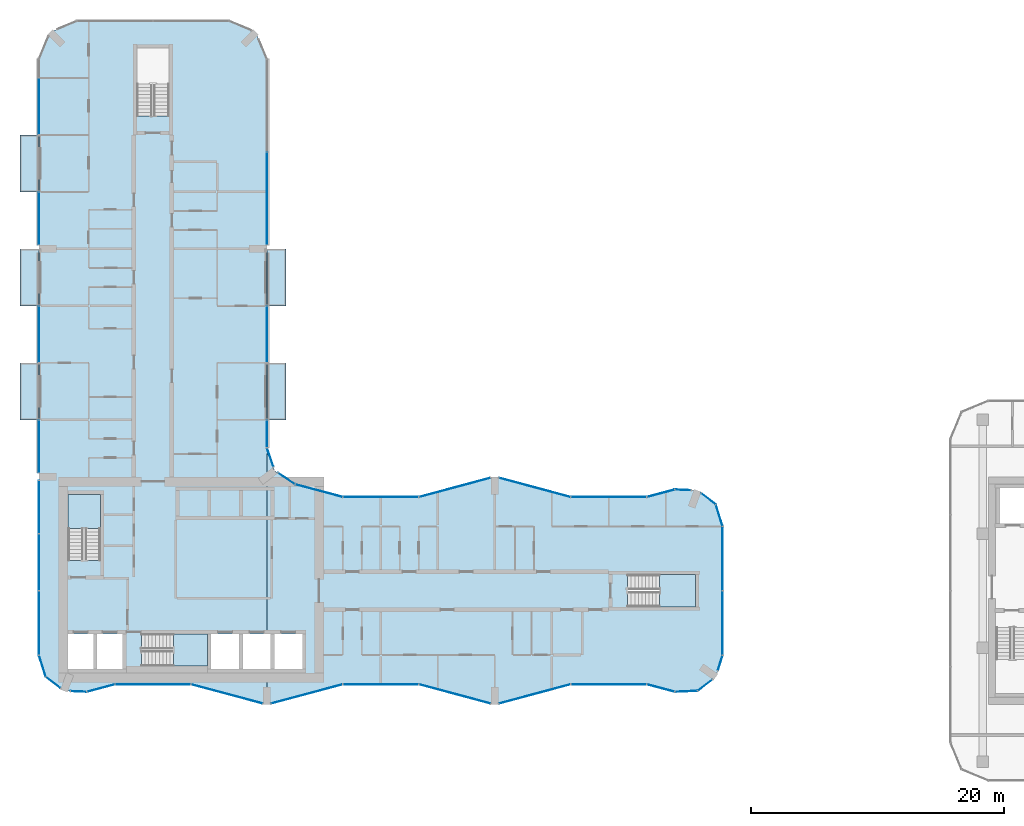
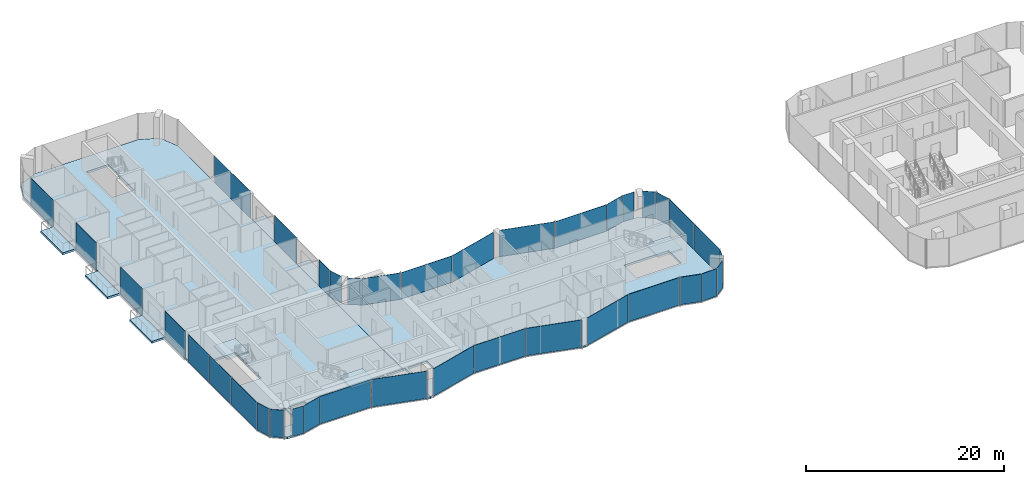
# One storey, part 11 of 23: 38 plates, 10 slabs, 38 elements without a shape of their own.
"""IFC4 building model written with IfcOpenShell, lengths in metres."""

from ifc_helpers import new_model, si_unit, direction, frame, origin, origin_2d, place, context, subcontext, project, spatial, polyline, rectangle, outline, extrude, material, layer, layer_set, type_object, element, aggregate, save


model = new_model("IFC4")

# Units and contexts
model_context = context("Model", 3, precision=1e-05, world=origin(), true_north=direction((0.0, 1.0)))
body_context = subcontext(model_context, "Body", "Model", "MODEL_VIEW")
ifc_project = project(units=[si_unit("LENGTHUNIT", "METRE"), si_unit("AREAUNIT", "SQUARE_METRE"), si_unit("VOLUMEUNIT", "CUBIC_METRE"), si_unit("PLANEANGLEUNIT", "RADIAN"), si_unit("MASSUNIT", "GRAM", prefix="KILO")], contexts=[model_context])

# Site, building, storey
site_placement = place(None, origin())
site = spatial("IfcSite", under=ifc_project, at=site_placement, CompositionType="ELEMENT")
building_placement = place(site_placement, origin())
building = spatial("IfcBuilding", under=site, at=building_placement, Name="Plateau Cross Towers", CompositionType="ELEMENT")
storey_placement = place(building_placement, frame((0.0, 0.0, 37.300048828125)))
storey = spatial("IfcBuildingStorey", under=building, at=storey_placement, Name="L08", CompositionType="ELEMENT", Elevation=37.300048828125)

# Slabs
ifc_material_1 = material(Name="Concrete C40/50", Category="concrete")
ifc_layer_1 = layer(ifc_material_1, 0.25)
ifc_layer_set_1 = layer_set([ifc_layer_1], Name="Concrete C40/50")
slab_type_1 = type_object("IfcSlabType", Name="Balcony slab 250", PredefinedType="FLOOR", material=ifc_layer_set_1)
slab_1_placement = place(storey_placement, frame((0.0, 0.0, -0.25)))
element("IfcSlab", 1, at=slab_1_placement, inside=storey, type_object=slab_type_1, Name="Balcony slab A-BAL-L08-01", PredefinedType="FLOOR", context=body_context, shape_type="SweptSolid", body=[
    extrude(outline(polyline([(0.0, 22.5), (0.0, 27.0), (-1.5, 27.0), (-1.5, 22.5), (0.0, 22.5)])), origin(), (0.0, 0.0, 1.0), 0.25),
])
slab_2_placement = place(storey_placement, frame((0.0, 0.0, -0.25)))
element("IfcSlab", 2, at=slab_2_placement, inside=storey, type_object=slab_type_1, Name="Balcony slab A-BAL-L08-02", PredefinedType="FLOOR", context=body_context, shape_type="SweptSolid", body=[
    extrude(outline(polyline([(0.0, 31.5), (0.0, 36.0), (-1.5, 36.0), (-1.5, 31.5), (0.0, 31.5)])), origin(), (0.0, 0.0, 1.0), 0.25),
])
slab_3_placement = place(storey_placement, frame((0.0, 0.0, -0.25)))
element("IfcSlab", 3, at=slab_3_placement, inside=storey, type_object=slab_type_1, Name="Balcony slab A-BAL-L08-03", PredefinedType="FLOOR", context=body_context, shape_type="SweptSolid", body=[
    extrude(outline(polyline([(0.0, 40.5), (0.0, 45.0), (-1.5, 45.0), (-1.5, 40.5), (0.0, 40.5)])), origin(), (0.0, 0.0, 1.0), 0.25),
])
slab_4_placement = place(storey_placement, frame((0.0, 0.0, -0.25)))
element("IfcSlab", 4, at=slab_4_placement, inside=storey, type_object=slab_type_1, Name="Balcony slab A-BAL-L08-04", PredefinedType="FLOOR", context=body_context, shape_type="SweptSolid", body=[
    extrude(outline(polyline([(19.5, 22.5), (19.5, 27.0), (18.0, 27.0), (18.0, 22.5), (19.5, 22.5)])), origin(), (0.0, 0.0, 1.0), 0.25),
])
slab_5_placement = place(storey_placement, frame((0.0, 0.0, -0.25)))
element("IfcSlab", 5, at=slab_5_placement, inside=storey, type_object=slab_type_1, Name="Balcony slab A-BAL-L08-05", PredefinedType="FLOOR", context=body_context, shape_type="SweptSolid", body=[
    extrude(outline(polyline([(19.5, 31.5), (19.5, 36.0), (18.0, 36.0), (18.0, 31.5), (19.5, 31.5)])), origin(), (0.0, 0.0, 1.0), 0.25),
])

# Curtain wall, plate
ifc_material_2 = material(Name="Dark low-iron glass", Category="glass")
ifc_layer_2 = layer(ifc_material_2, 0.239990234375)
ifc_layer_set_2 = layer_set([ifc_layer_2], Name="Dark low-iron glass")
curtain_wall_type_1 = type_object("IfcCurtainWallType", Name="Curtain wall flush unitised CW-B", PredefinedType="NOTDEFINED", material=ifc_layer_set_2)
curtain_wall_1_placement = place(storey_placement, origin())
curtain_wall_1 = element("IfcCurtainWall", 6, at=curtain_wall_1_placement, inside=storey, type_object=curtain_wall_type_1, Name="ENV/A/L08/A502_10", PredefinedType="NOTDEFINED")
ifc_layer_3 = layer(ifc_material_2, 0.031982421875)
ifc_layer_set_3 = layer_set([ifc_layer_3], Name="Dark low-iron glass")
plate_type_1 = type_object("IfcPlateType", Name="Glass panel 32 flush unitised", PredefinedType="CURTAIN_PANEL", material=ifc_layer_set_3)
plate_1_placement = place(storey_placement, frame((51.125, 1.05078125, -0.1298828125), z_axis=(0.0, 0.0, 1.0), x_axis=(0.999043701491, 0.043722791671, 0.0)))
plate_1 = element("IfcPlate", 7, at=plate_1_placement, type_object=plate_type_1, Name="CW-B panel 1", PredefinedType="CURTAIN_PANEL", context=body_context, shape_type="SweptSolid", body=[
    extrude(rectangle(XDim=1.744140625, YDim=0.031982421875, at=origin_2d()), origin(), (0.0, 0.0, 1.0), 3.3798828125),
])
aggregate(curtain_wall_1, [plate_1])

curtain_wall_2_placement = place(storey_placement, origin())
curtain_wall_2 = element("IfcCurtainWall", 8, at=curtain_wall_2_placement, inside=storey, type_object=curtain_wall_type_1, Name="ENV/A/L08/A520_11", PredefinedType="NOTDEFINED")
plate_2_placement = place(storey_placement, frame((52.60986328125, 1.5380859375, -0.1298828125), z_axis=(0.0, 0.0, 1.0), x_axis=(0.793315514529, 0.608810721331, 0.0)))
plate_2 = element("IfcPlate", 9, at=plate_2_placement, type_object=plate_type_1, Name="CW-B panel 1", PredefinedType="CURTAIN_PANEL", context=body_context, shape_type="SweptSolid", body=[
    extrude(rectangle(XDim=1.41162109375, YDim=0.031982421875, at=origin_2d()), origin(), (0.0, 0.0, 1.0), 3.3798828125),
])
aggregate(curtain_wall_2, [plate_2])

curtain_wall_3_placement = place(storey_placement, origin())
curtain_wall_3 = element("IfcCurtainWall", 10, at=curtain_wall_3_placement, inside=storey, type_object=curtain_wall_type_1, Name="ENV/A/L08/A536_27", PredefinedType="NOTDEFINED")
plate_3_placement = place(storey_placement, frame((53.805419921875, 3.292236328125, -0.1298828125), z_axis=(0.0, 0.0, 1.0), x_axis=(0.300686174994, 0.95372313811, 0.0)))
plate_3 = element("IfcPlate", 11, at=plate_3_placement, type_object=plate_type_1, Name="CW-B panel 1", PredefinedType="CURTAIN_PANEL", context=body_context, shape_type="SweptSolid", body=[
    extrude(rectangle(XDim=1.233642578125, YDim=0.031982421875, at=origin_2d()), origin(), (0.0, 0.0, 1.0), 3.3798828125),
])
aggregate(curtain_wall_3, [plate_3])

# Curtain wall, plates
curtain_wall_4_placement = place(storey_placement, origin())
curtain_wall_4 = element("IfcCurtainWall", 12, at=curtain_wall_4_placement, inside=storey, type_object=curtain_wall_type_1, Name="ENV/A/L08/A540_39", PredefinedType="NOTDEFINED")
plate_4_placement = place(storey_placement, frame((54.0, 6.45458984375, -0.1298828125), z_axis=(0.0, 0.0, 1.0), x_axis=(0.0, 1.0, 0.0)))
plate_4 = element("IfcPlate", 13, at=plate_4_placement, type_object=plate_type_1, Name="CW-B panel 1", PredefinedType="CURTAIN_PANEL", context=body_context, shape_type="SweptSolid", body=[
    extrude(rectangle(XDim=5.03076171875, YDim=0.031982421875, at=origin_2d()), origin(), (0.0, 0.0, 1.0), 3.3798828125),
])
plate_5_placement = place(storey_placement, frame((54.0, 11.54541015625, -0.1298828125), z_axis=(0.0, 0.0, 1.0), x_axis=(0.0, 1.0, 0.0)))
plate_5 = element("IfcPlate", 14, at=plate_5_placement, type_object=plate_type_1, Name="CW-B panel 2", PredefinedType="CURTAIN_PANEL", context=body_context, shape_type="SweptSolid", body=[
    extrude(rectangle(XDim=5.03076171875, YDim=0.031982421875, at=origin_2d()), origin(), (0.0, 0.0, 1.0), 3.3798828125),
])
aggregate(curtain_wall_4, [plate_4, plate_5])

# Curtain wall, plate
curtain_wall_5_placement = place(storey_placement, origin())
curtain_wall_5 = element("IfcCurtainWall", 15, at=curtain_wall_5_placement, inside=storey, type_object=curtain_wall_type_1, Name="ENV/A/L08/A540_141", PredefinedType="NOTDEFINED")
plate_6_placement = place(storey_placement, frame((53.728759765625, 14.951171875, -0.1298828125), z_axis=(0.0, 0.0, 1.0), x_axis=(-0.300686174994, 0.95372313811, 0.0)))
plate_6 = element("IfcPlate", 16, at=plate_6_placement, type_object=plate_type_1, Name="CW-B panel 1", PredefinedType="CURTAIN_PANEL", context=body_context, shape_type="SweptSolid", body=[
    extrude(rectangle(XDim=1.744140625, YDim=0.031982421875, at=origin_2d()), origin(), (0.0, 0.0, 1.0), 3.3798828125),
])
aggregate(curtain_wall_5, [plate_6])

curtain_wall_6_placement = place(storey_placement, origin())
curtain_wall_6 = element("IfcCurtainWall", 17, at=curtain_wall_6_placement, inside=storey, type_object=curtain_wall_type_1, Name="ENV/A/L08/A535_158", PredefinedType="NOTDEFINED")
plate_7_placement = place(storey_placement, frame((52.873779296875, 16.25927734375, -0.1298828125), z_axis=(0.0, 0.0, 1.0), x_axis=(-0.793315514529, 0.608810721331, 0.0)))
plate_7 = element("IfcPlate", 18, at=plate_7_placement, type_object=plate_type_1, Name="CW-B panel 1", PredefinedType="CURTAIN_PANEL", context=body_context, shape_type="SweptSolid", body=[
    extrude(rectangle(XDim=1.41162109375, YDim=0.031982421875, at=origin_2d()), origin(), (0.0, 0.0, 1.0), 3.3798828125),
])
aggregate(curtain_wall_6, [plate_7])

curtain_wall_7_placement = place(storey_placement, origin())
curtain_wall_7 = element("IfcCurtainWall", 19, at=curtain_wall_7_placement, inside=storey, type_object=curtain_wall_type_1, Name="ENV/A/L08/A515_169", PredefinedType="NOTDEFINED")
plate_8_placement = place(storey_placement, frame((50.8701171875, 16.96044921875, -0.1298828125), z_axis=(0.0, 0.0, 1.0), x_axis=(-0.999043701491, 0.043722791671, 0.0)))
plate_8 = element("IfcPlate", 20, at=plate_8_placement, type_object=plate_type_1, Name="CW-B panel 1", PredefinedType="CURTAIN_PANEL", context=body_context, shape_type="SweptSolid", body=[
    extrude(rectangle(XDim=1.233642578125, YDim=0.031982421875, at=origin_2d()), origin(), (0.0, 0.0, 1.0), 3.3798828125),
])
aggregate(curtain_wall_7, [plate_8])

curtain_wall_8_placement = place(storey_placement, origin())
curtain_wall_8 = element("IfcCurtainWall", 21, at=curtain_wall_8_placement, inside=storey, type_object=curtain_wall_type_1, Name="ENV/A/L08/A202_174", PredefinedType="NOTDEFINED")
plate_9_placement = place(storey_placement, frame((19.546630859375, 17.856689453125, -0.1298828125), z_axis=(0.0, 0.0, 1.0), x_axis=(-0.831521253329, 0.555492938984, 0.0)))
plate_9 = element("IfcPlate", 22, at=plate_9_placement, type_object=plate_type_1, Name="CW-B panel 1", PredefinedType="CURTAIN_PANEL", context=body_context, shape_type="SweptSolid", body=[
    extrude(rectangle(XDim=1.56884765625, YDim=0.031982421875, at=origin_2d()), origin(), (0.0, 0.0, 1.0), 3.3798828125),
])
aggregate(curtain_wall_8, [plate_9])

curtain_wall_9_placement = place(storey_placement, origin())
curtain_wall_9 = element("IfcCurtainWall", 23, at=curtain_wall_9_placement, inside=storey, type_object=curtain_wall_type_1, Name="ENV/A/L08/A185_188", PredefinedType="NOTDEFINED")
plate_10_placement = place(storey_placement, frame((18.26171875, 19.531005859375, -0.1298828125), z_axis=(0.0, 0.0, 1.0), x_axis=(-0.321469161574, 0.94692004845, 0.0)))
plate_10 = element("IfcPlate", 24, at=plate_10_placement, type_object=plate_type_1, Name="CW-B panel 1", PredefinedType="CURTAIN_PANEL", context=body_context, shape_type="SweptSolid", body=[
    extrude(rectangle(XDim=1.56884765625, YDim=0.031982421875, at=origin_2d()), origin(), (0.0, 0.0, 1.0), 3.3798828125),
])
aggregate(curtain_wall_9, [plate_10])

curtain_wall_10_placement = place(storey_placement, origin())
curtain_wall_10 = element("IfcCurtainWall", 25, at=curtain_wall_10_placement, inside=storey, type_object=curtain_wall_type_1, Name="ENV/A/L08/A180_203", PredefinedType="NOTDEFINED")
plate_11_placement = place(storey_placement, frame((18.0, 21.396240234375, -0.1298828125), z_axis=(0.0, 0.0, 1.0), x_axis=(0.0, 1.0, 0.0)))
plate_11 = element("IfcPlate", 26, at=plate_11_placement, type_object=plate_type_1, Name="CW-B panel 1", PredefinedType="CURTAIN_PANEL", context=body_context, shape_type="SweptSolid", body=[
    extrude(rectangle(XDim=2.127685546875, YDim=0.031982421875, at=origin_2d()), origin(), (0.0, 0.0, 1.0), 3.3798828125),
])
aggregate(curtain_wall_10, [plate_11])

curtain_wall_11_placement = place(storey_placement, origin())
curtain_wall_11 = element("IfcCurtainWall", 27, at=curtain_wall_11_placement, inside=storey, type_object=curtain_wall_type_1, Name="ENV/A/L08/A180_270", PredefinedType="NOTDEFINED")
plate_12_placement = place(storey_placement, frame((18.0, 29.25, -0.1298828125), z_axis=(0.0, 0.0, 1.0), x_axis=(0.0, 1.0, 0.0)))
plate_12 = element("IfcPlate", 28, at=plate_12_placement, type_object=plate_type_1, Name="CW-B panel 1", PredefinedType="CURTAIN_PANEL", context=body_context, shape_type="SweptSolid", body=[
    extrude(rectangle(XDim=4.419921875, YDim=0.031982421875, at=origin_2d()), origin(), (0.0, 0.0, 1.0), 3.3798828125),
])
aggregate(curtain_wall_11, [plate_12])

curtain_wall_12_placement = place(storey_placement, origin())
curtain_wall_12 = element("IfcCurtainWall", 29, at=curtain_wall_12_placement, inside=storey, type_object=curtain_wall_type_1, Name="ENV/A/L08/A180_363", PredefinedType="NOTDEFINED")
plate_13_placement = place(storey_placement, frame((18.0, 39.97509765625, -0.1298828125), z_axis=(0.0, 0.0, 1.0), x_axis=(0.0, 1.0, 0.0)))
plate_13 = element("IfcPlate", 30, at=plate_13_placement, type_object=plate_type_1, Name="CW-B panel 1", PredefinedType="CURTAIN_PANEL", context=body_context, shape_type="SweptSolid", body=[
    extrude(rectangle(XDim=7.2900390625, YDim=0.031982421875, at=origin_2d()), origin(), (0.0, 0.0, 1.0), 3.3798828125),
])
aggregate(curtain_wall_12, [plate_13])

curtain_wall_13_placement = place(storey_placement, origin())
curtain_wall_13 = element("IfcCurtainWall", 31, at=curtain_wall_13_placement, inside=storey, type_object=curtain_wall_type_1, Name="ENV/A/L08/A0_510", PredefinedType="NOTDEFINED")
plate_14_placement = place(storey_placement, frame((0.0, 47.2548828125, -0.1298828125), z_axis=(0.0, 0.0, 1.0), x_axis=(0.0, -1.0, 0.0)))
plate_14 = element("IfcPlate", 32, at=plate_14_placement, type_object=plate_type_1, Name="CW-B panel 2", PredefinedType="CURTAIN_PANEL", context=body_context, shape_type="SweptSolid", body=[
    extrude(rectangle(XDim=4.429931640625, YDim=0.031982421875, at=origin_2d()), origin(), (0.0, 0.0, 1.0), 3.3798828125),
])
aggregate(curtain_wall_13, [plate_14])

curtain_wall_14_placement = place(storey_placement, origin())
curtain_wall_14 = element("IfcCurtainWall", 33, at=curtain_wall_14_placement, inside=storey, type_object=curtain_wall_type_1, Name="ENV/A/L08/A0_405", PredefinedType="NOTDEFINED")
plate_15_placement = place(storey_placement, frame((0.0, 38.39501953125, -0.1298828125), z_axis=(0.0, 0.0, 1.0), x_axis=(0.0, -1.0, 0.0)))
plate_15 = element("IfcPlate", 34, at=plate_15_placement, type_object=plate_type_1, Name="CW-B panel 1", PredefinedType="CURTAIN_PANEL", context=body_context, shape_type="SweptSolid", body=[
    extrude(rectangle(XDim=4.1298828125, YDim=0.031982421875, at=origin_2d()), origin(), (0.0, 0.0, 1.0), 3.3798828125),
])
aggregate(curtain_wall_14, [plate_15])

curtain_wall_15_placement = place(storey_placement, origin())
curtain_wall_15 = element("IfcCurtainWall", 35, at=curtain_wall_15_placement, inside=storey, type_object=curtain_wall_type_1, Name="ENV/A/L08/A0_315", PredefinedType="NOTDEFINED")
plate_16_placement = place(storey_placement, frame((0.0, 29.25, -0.1298828125), z_axis=(0.0, 0.0, 1.0), x_axis=(0.0, -1.0, 0.0)))
plate_16 = element("IfcPlate", 36, at=plate_16_placement, type_object=plate_type_1, Name="CW-B panel 1", PredefinedType="CURTAIN_PANEL", context=body_context, shape_type="SweptSolid", body=[
    extrude(rectangle(XDim=4.419921875, YDim=0.031982421875, at=origin_2d()), origin(), (0.0, 0.0, 1.0), 3.3798828125),
])
aggregate(curtain_wall_15, [plate_16])

curtain_wall_16_placement = place(storey_placement, origin())
curtain_wall_16 = element("IfcCurtainWall", 37, at=curtain_wall_16_placement, inside=storey, type_object=curtain_wall_type_1, Name="ENV/A/L08/A0_225", PredefinedType="NOTDEFINED")
plate_17_placement = place(storey_placement, frame((0.0, 20.39501953125, -0.1298828125), z_axis=(0.0, 0.0, 1.0), x_axis=(0.0, -1.0, 0.0)))
plate_17 = element("IfcPlate", 38, at=plate_17_placement, type_object=plate_type_1, Name="CW-B panel 1", PredefinedType="CURTAIN_PANEL", context=body_context, shape_type="SweptSolid", body=[
    extrude(rectangle(XDim=4.1298828125, YDim=0.031982421875, at=origin_2d()), origin(), (0.0, 0.0, 1.0), 3.3798828125),
])
aggregate(curtain_wall_16, [plate_17])

# Curtain wall, plates
curtain_wall_17_placement = place(storey_placement, origin())
curtain_wall_17 = element("IfcCurtainWall", 39, at=curtain_wall_17_placement, inside=storey, type_object=curtain_wall_type_1, Name="ENV/A/L08/A0_177", PredefinedType="NOTDEFINED")
plate_18_placement = place(storey_placement, frame((0.0, 15.60009765625, -0.1298828125), z_axis=(0.0, 0.0, 1.0), x_axis=(0.0, -1.0, 0.0)))
plate_18 = element("IfcPlate", 40, at=plate_18_placement, type_object=plate_type_1, Name="CW-B panel 1", PredefinedType="CURTAIN_PANEL", context=body_context, shape_type="SweptSolid", body=[
    extrude(rectangle(XDim=4.139892578125, YDim=0.031982421875, at=origin_2d()), origin(), (0.0, 0.0, 1.0), 3.3798828125),
])
plate_19_placement = place(storey_placement, frame((0.0, 11.25, -0.1298828125), z_axis=(0.0, 0.0, 1.0), x_axis=(0.0, -1.0, 0.0)))
plate_19 = element("IfcPlate", 41, at=plate_19_placement, type_object=plate_type_1, Name="CW-B panel 2", PredefinedType="CURTAIN_PANEL", context=body_context, shape_type="SweptSolid", body=[
    extrude(rectangle(XDim=4.43994140625, YDim=0.031982421875, at=origin_2d()), origin(), (0.0, 0.0, 1.0), 3.3798828125),
])
plate_20_placement = place(storey_placement, frame((0.0, 6.45458984375, -0.1298828125), z_axis=(0.0, 0.0, 1.0), x_axis=(0.0, -1.0, 0.0)))
plate_20 = element("IfcPlate", 42, at=plate_20_placement, type_object=plate_type_1, Name="CW-B panel 3", PredefinedType="CURTAIN_PANEL", context=body_context, shape_type="SweptSolid", body=[
    extrude(rectangle(XDim=5.03076171875, YDim=0.031982421875, at=origin_2d()), origin(), (0.0, 0.0, 1.0), 3.3798828125),
])
aggregate(curtain_wall_17, [plate_18, plate_19, plate_20])

# Curtain wall, plate
curtain_wall_18_placement = place(storey_placement, origin())
curtain_wall_18 = element("IfcCurtainWall", 43, at=curtain_wall_18_placement, inside=storey, type_object=curtain_wall_type_1, Name="ENV/A/L08/A0_39", PredefinedType="NOTDEFINED")
plate_21_placement = place(storey_placement, frame((0.271240234375, 3.048828125, -0.1298828125), z_axis=(0.0, 0.0, 1.0), x_axis=(0.300686174994, -0.95372313811, 0.0)))
plate_21 = element("IfcPlate", 44, at=plate_21_placement, type_object=plate_type_1, Name="CW-B panel 1", PredefinedType="CURTAIN_PANEL", context=body_context, shape_type="SweptSolid", body=[
    extrude(rectangle(XDim=1.744140625, YDim=0.031982421875, at=origin_2d()), origin(), (0.0, 0.0, 1.0), 3.3798828125),
])
aggregate(curtain_wall_18, [plate_21])

curtain_wall_19_placement = place(storey_placement, origin())
curtain_wall_19 = element("IfcCurtainWall", 45, at=curtain_wall_19_placement, inside=storey, type_object=curtain_wall_type_1, Name="ENV/A/L08/A5_22", PredefinedType="NOTDEFINED")
plate_22_placement = place(storey_placement, frame((1.126220703125, 1.74072265625, -0.1298828125), z_axis=(0.0, 0.0, 1.0), x_axis=(0.793315514529, -0.608810721331, 0.0)))
plate_22 = element("IfcPlate", 46, at=plate_22_placement, type_object=plate_type_1, Name="CW-B panel 1", PredefinedType="CURTAIN_PANEL", context=body_context, shape_type="SweptSolid", body=[
    extrude(rectangle(XDim=1.41162109375, YDim=0.031982421875, at=origin_2d()), origin(), (0.0, 0.0, 1.0), 3.3798828125),
])
aggregate(curtain_wall_19, [plate_22])

curtain_wall_20_placement = place(storey_placement, origin())
curtain_wall_20 = element("IfcCurtainWall", 47, at=curtain_wall_20_placement, inside=storey, type_object=curtain_wall_type_1, Name="ENV/A/L08/A25_11", PredefinedType="NOTDEFINED")
plate_23_placement = place(storey_placement, frame((3.1298828125, 1.03955078125, -0.1298828125), z_axis=(0.0, 0.0, 1.0), x_axis=(0.999043701491, -0.043722791671, 0.0)))
plate_23 = element("IfcPlate", 48, at=plate_23_placement, type_object=plate_type_1, Name="CW-B panel 1", PredefinedType="CURTAIN_PANEL", context=body_context, shape_type="SweptSolid", body=[
    extrude(rectangle(XDim=1.233642578125, YDim=0.031982421875, at=origin_2d()), origin(), (0.0, 0.0, 1.0), 3.3798828125),
])
aggregate(curtain_wall_20, [plate_23])

ifc_layer_4 = layer(ifc_material_2, 0.260009765625)
ifc_layer_set_4 = layer_set([ifc_layer_4], Name="Dark low-iron glass")
curtain_wall_type_2 = type_object("IfcCurtainWallType", Name="Curtain wall fluted unitised CW-A", PredefinedType="NOTDEFINED", material=ifc_layer_set_4)
curtain_wall_21_placement = place(storey_placement, origin())
curtain_wall_21 = element("IfcCurtainWall", 49, at=curtain_wall_21_placement, inside=storey, type_object=curtain_wall_type_2, Name="ENV/A/L08/A38_10", PredefinedType="NOTDEFINED")
ifc_layer_5 = layer(ifc_material_2, 0.035888671875)
ifc_layer_set_5 = layer_set([ifc_layer_5], Name="Dark low-iron glass")
plate_type_2 = type_object("IfcPlateType", Name="Glass panel 36 fluted unitised", PredefinedType="CURTAIN_PANEL", material=ifc_layer_set_5)
plate_24_placement = place(storey_placement, frame((4.887939453125, 1.30908203125, -0.1298828125), z_axis=(0.0, 0.0, 1.0), x_axis=(0.965957962328, 0.258699081978, 0.0)))
plate_24 = element("IfcPlate", 50, at=plate_24_placement, type_object=plate_type_2, Name="CW-A panel 1", PredefinedType="CURTAIN_PANEL", context=body_context, shape_type="SweptSolid", body=[
    extrude(rectangle(XDim=2.2421875, YDim=0.035888671875, at=origin_2d()), origin(), (0.0, 0.0, 1.0), 3.3798828125),
])
aggregate(curtain_wall_21, [plate_24])

curtain_wall_22_placement = place(storey_placement, origin())
curtain_wall_22 = element("IfcCurtainWall", 51, at=curtain_wall_22_placement, inside=storey, type_object=curtain_wall_type_2, Name="ENV/A/L08/A60_16", PredefinedType="NOTDEFINED")
plate_25_placement = place(storey_placement, frame((9.0, 1.60693359375, -0.1298828125), z_axis=(0.0, 0.0, 1.0), x_axis=(1.0, 0.0, 0.0)))
plate_25 = element("IfcPlate", 52, at=plate_25_placement, type_object=plate_type_2, Name="CW-A panel 1", PredefinedType="CURTAIN_PANEL", context=body_context, shape_type="SweptSolid", body=[
    extrude(rectangle(XDim=5.93994140625, YDim=0.035888671875, at=origin_2d()), origin(), (0.0, 0.0, 1.0), 3.3798828125),
])
aggregate(curtain_wall_22, [plate_25])

curtain_wall_23_placement = place(storey_placement, origin())
curtain_wall_23 = element("IfcCurtainWall", 53, at=curtain_wall_23_placement, inside=storey, type_object=curtain_wall_type_2, Name="ENV/A/L08/A120_16", PredefinedType="NOTDEFINED")
plate_26_placement = place(storey_placement, frame((14.841064453125, 0.845947265625, -0.1298828125), z_axis=(0.0, 0.0, 1.0), x_axis=(0.965957983404, -0.258699003279, 0.0)))
plate_26 = element("IfcPlate", 54, at=plate_26_placement, type_object=plate_type_2, Name="CW-A panel 1", PredefinedType="CURTAIN_PANEL", context=body_context, shape_type="SweptSolid", body=[
    extrude(rectangle(XDim=5.822265625, YDim=0.035888671875, at=origin_2d()), origin(), (0.0, 0.0, 1.0), 3.3798828125),
])
aggregate(curtain_wall_23, [plate_26])

curtain_wall_24_placement = place(storey_placement, origin())
curtain_wall_24 = element("IfcCurtainWall", 55, at=curtain_wall_24_placement, inside=storey, type_object=curtain_wall_type_2, Name="ENV/A/L08/A183_1", PredefinedType="NOTDEFINED")
plate_27_placement = place(storey_placement, frame((21.158935546875, 0.845947265625, -0.1298828125), z_axis=(0.0, 0.0, 1.0), x_axis=(0.965957983404, 0.258699003279, 0.0)))
plate_27 = element("IfcPlate", 56, at=plate_27_placement, type_object=plate_type_2, Name="CW-A panel 1", PredefinedType="CURTAIN_PANEL", context=body_context, shape_type="SweptSolid", body=[
    extrude(rectangle(XDim=5.822265625, YDim=0.035888671875, at=origin_2d()), origin(), (0.0, 0.0, 1.0), 3.3798828125),
])
aggregate(curtain_wall_24, [plate_27])

curtain_wall_25_placement = place(storey_placement, origin())
curtain_wall_25 = element("IfcCurtainWall", 57, at=curtain_wall_25_placement, inside=storey, type_object=curtain_wall_type_2, Name="ENV/A/L08/A240_16", PredefinedType="NOTDEFINED")
plate_28_placement = place(storey_placement, frame((27.0, 1.60693359375, -0.1298828125), z_axis=(0.0, 0.0, 1.0), x_axis=(1.0, 0.0, 0.0)))
plate_28 = element("IfcPlate", 58, at=plate_28_placement, type_object=plate_type_2, Name="CW-A panel 1", PredefinedType="CURTAIN_PANEL", context=body_context, shape_type="SweptSolid", body=[
    extrude(rectangle(XDim=5.93994140625, YDim=0.035888671875, at=origin_2d()), origin(), (0.0, 0.0, 1.0), 3.3798828125),
])
aggregate(curtain_wall_25, [plate_28])

curtain_wall_26_placement = place(storey_placement, origin())
curtain_wall_26 = element("IfcCurtainWall", 59, at=curtain_wall_26_placement, inside=storey, type_object=curtain_wall_type_2, Name="ENV/A/L08/A300_16", PredefinedType="NOTDEFINED")
plate_29_placement = place(storey_placement, frame((32.841064453125, 0.845947265625, -0.1298828125), z_axis=(0.0, 0.0, 1.0), x_axis=(0.965957983404, -0.258699003279, 0.0)))
plate_29 = element("IfcPlate", 60, at=plate_29_placement, type_object=plate_type_2, Name="CW-A panel 1", PredefinedType="CURTAIN_PANEL", context=body_context, shape_type="SweptSolid", body=[
    extrude(rectangle(XDim=5.822265625, YDim=0.035888671875, at=origin_2d()), origin(), (0.0, 0.0, 1.0), 3.3798828125),
])
aggregate(curtain_wall_26, [plate_29])

curtain_wall_27_placement = place(storey_placement, origin())
curtain_wall_27 = element("IfcCurtainWall", 61, at=curtain_wall_27_placement, inside=storey, type_object=curtain_wall_type_2, Name="ENV/A/L08/A363_1", PredefinedType="NOTDEFINED")
plate_30_placement = place(storey_placement, frame((39.158935546875, 0.845947265625, -0.1298828125), z_axis=(0.0, 0.0, 1.0), x_axis=(0.965957983404, 0.258699003279, 0.0)))
plate_30 = element("IfcPlate", 62, at=plate_30_placement, type_object=plate_type_2, Name="CW-A panel 1", PredefinedType="CURTAIN_PANEL", context=body_context, shape_type="SweptSolid", body=[
    extrude(rectangle(XDim=5.822265625, YDim=0.035888671875, at=origin_2d()), origin(), (0.0, 0.0, 1.0), 3.3798828125),
])
aggregate(curtain_wall_27, [plate_30])

curtain_wall_28_placement = place(storey_placement, origin())
curtain_wall_28 = element("IfcCurtainWall", 63, at=curtain_wall_28_placement, inside=storey, type_object=curtain_wall_type_2, Name="ENV/A/L08/A420_16", PredefinedType="NOTDEFINED")
plate_31_placement = place(storey_placement, frame((45.0, 1.60693359375, -0.1298828125), z_axis=(0.0, 0.0, 1.0), x_axis=(1.0, 0.0, 0.0)))
plate_31 = element("IfcPlate", 64, at=plate_31_placement, type_object=plate_type_2, Name="CW-A panel 1", PredefinedType="CURTAIN_PANEL", context=body_context, shape_type="SweptSolid", body=[
    extrude(rectangle(XDim=5.93994140625, YDim=0.035888671875, at=origin_2d()), origin(), (0.0, 0.0, 1.0), 3.3798828125),
])
aggregate(curtain_wall_28, [plate_31])

curtain_wall_29_placement = place(storey_placement, origin())
curtain_wall_29 = element("IfcCurtainWall", 65, at=curtain_wall_29_placement, inside=storey, type_object=curtain_wall_type_2, Name="ENV/A/L08/A480_16", PredefinedType="NOTDEFINED")
plate_32_placement = place(storey_placement, frame((49.112060546875, 1.30908203125, -0.1298828125), z_axis=(0.0, 0.0, 1.0), x_axis=(0.965957962328, -0.258699081978, 0.0)))
plate_32 = element("IfcPlate", 66, at=plate_32_placement, type_object=plate_type_2, Name="CW-A panel 1", PredefinedType="CURTAIN_PANEL", context=body_context, shape_type="SweptSolid", body=[
    extrude(rectangle(XDim=2.2421875, YDim=0.035888671875, at=origin_2d()), origin(), (0.0, 0.0, 1.0), 3.3798828125),
])
aggregate(curtain_wall_29, [plate_32])

curtain_wall_30_placement = place(storey_placement, origin())
curtain_wall_30 = element("IfcCurtainWall", 67, at=curtain_wall_30_placement, inside=storey, type_object=curtain_wall_type_2, Name="ENV/A/L08/A502_170", PredefinedType="NOTDEFINED")
plate_33_placement = place(storey_placement, frame((49.112060546875, 16.69091796875, -0.1298828125), z_axis=(0.0, 0.0, 1.0), x_axis=(-0.965957962328, -0.258699081978, 0.0)))
plate_33 = element("IfcPlate", 68, at=plate_33_placement, type_object=plate_type_2, Name="CW-A panel 1", PredefinedType="CURTAIN_PANEL", context=body_context, shape_type="SweptSolid", body=[
    extrude(rectangle(XDim=2.2421875, YDim=0.035888671875, at=origin_2d()), origin(), (0.0, 0.0, 1.0), 3.3798828125),
])
aggregate(curtain_wall_30, [plate_33])

curtain_wall_31_placement = place(storey_placement, origin())
curtain_wall_31 = element("IfcCurtainWall", 69, at=curtain_wall_31_placement, inside=storey, type_object=curtain_wall_type_2, Name="ENV/A/L08/A480_164", PredefinedType="NOTDEFINED")
plate_34_placement = place(storey_placement, frame((45.0, 16.39306640625, -0.1298828125), z_axis=(0.0, 0.0, 1.0), x_axis=(-1.0, 0.0, 0.0)))
plate_34 = element("IfcPlate", 70, at=plate_34_placement, type_object=plate_type_2, Name="CW-A panel 1", PredefinedType="CURTAIN_PANEL", context=body_context, shape_type="SweptSolid", body=[
    extrude(rectangle(XDim=5.93994140625, YDim=0.035888671875, at=origin_2d()), origin(), (0.0, 0.0, 1.0), 3.3798828125),
])
aggregate(curtain_wall_31, [plate_34])

curtain_wall_32_placement = place(storey_placement, origin())
curtain_wall_32 = element("IfcCurtainWall", 71, at=curtain_wall_32_placement, inside=storey, type_object=curtain_wall_type_2, Name="ENV/A/L08/A420_164", PredefinedType="NOTDEFINED")
plate_35_placement = place(storey_placement, frame((39.158935546875, 17.154052734375, -0.1298828125), z_axis=(0.0, 0.0, 1.0), x_axis=(-0.965957983404, 0.258699003279, 0.0)))
plate_35 = element("IfcPlate", 72, at=plate_35_placement, type_object=plate_type_2, Name="CW-A panel 1", PredefinedType="CURTAIN_PANEL", context=body_context, shape_type="SweptSolid", body=[
    extrude(rectangle(XDim=5.822265625, YDim=0.035888671875, at=origin_2d()), origin(), (0.0, 0.0, 1.0), 3.3798828125),
])
aggregate(curtain_wall_32, [plate_35])

curtain_wall_33_placement = place(storey_placement, origin())
curtain_wall_33 = element("IfcCurtainWall", 73, at=curtain_wall_33_placement, inside=storey, type_object=curtain_wall_type_2, Name="ENV/A/L08/A357_179", PredefinedType="NOTDEFINED")
plate_36_placement = place(storey_placement, frame((32.841064453125, 17.154052734375, -0.1298828125), z_axis=(0.0, 0.0, 1.0), x_axis=(-0.965957983404, -0.258699003279, 0.0)))
plate_36 = element("IfcPlate", 74, at=plate_36_placement, type_object=plate_type_2, Name="CW-A panel 1", PredefinedType="CURTAIN_PANEL", context=body_context, shape_type="SweptSolid", body=[
    extrude(rectangle(XDim=5.822265625, YDim=0.035888671875, at=origin_2d()), origin(), (0.0, 0.0, 1.0), 3.3798828125),
])
aggregate(curtain_wall_33, [plate_36])

curtain_wall_34_placement = place(storey_placement, origin())
curtain_wall_34 = element("IfcCurtainWall", 75, at=curtain_wall_34_placement, inside=storey, type_object=curtain_wall_type_2, Name="ENV/A/L08/A300_164", PredefinedType="NOTDEFINED")
plate_37_placement = place(storey_placement, frame((27.0, 16.39306640625, -0.1298828125), z_axis=(0.0, 0.0, 1.0), x_axis=(-1.0, 0.0, 0.0)))
plate_37 = element("IfcPlate", 76, at=plate_37_placement, type_object=plate_type_2, Name="CW-A panel 1", PredefinedType="CURTAIN_PANEL", context=body_context, shape_type="SweptSolid", body=[
    extrude(rectangle(XDim=5.93994140625, YDim=0.035888671875, at=origin_2d()), origin(), (0.0, 0.0, 1.0), 3.3798828125),
])
aggregate(curtain_wall_34, [plate_37])

curtain_wall_35_placement = place(storey_placement, origin())
curtain_wall_35 = element("IfcCurtainWall", 77, at=curtain_wall_35_placement, inside=storey, type_object=curtain_wall_type_2, Name="ENV/A/L08/A240_164", PredefinedType="NOTDEFINED")
plate_38_placement = place(storey_placement, frame((22.112060546875, 16.898681640625, -0.1298828125), z_axis=(0.0, 0.0, 1.0), x_axis=(-0.965957995816, 0.258698956933, 0.0)))
plate_38 = element("IfcPlate", 78, at=plate_38_placement, type_object=plate_type_2, Name="CW-A panel 1", PredefinedType="CURTAIN_PANEL", context=body_context, shape_type="SweptSolid", body=[
    extrude(rectangle(XDim=3.84912109375, YDim=0.035888671875, at=origin_2d()), origin(), (0.0, 0.0, 1.0), 3.3798828125),
])
aggregate(curtain_wall_35, [plate_38])

# Slabs
ifc_layer_6 = layer(ifc_material_1, 0.25)
ifc_layer_set_6 = layer_set([ifc_layer_6], Name="Concrete C40/50")
slab_type_2 = type_object("IfcSlabType", Name="Post-tensioned flat plate slab 250", PredefinedType="FLOOR", material=ifc_layer_set_6)
slab_6_placement = place(storey_placement, frame((0.0, 0.0, -0.25)))
element("IfcSlab", 79, at=slab_6_placement, inside=storey, type_object=slab_type_2, Name="SL-A-L08 1", PredefinedType="FLOOR", context=body_context, shape_type="SweptSolid", body=[
    extrude(outline(polyline([(0.54248046875, 2.1884765625), (0.0, 3.9091796875), (0.0, 51.0), (0.878662109375, 53.121337890625), (3.0, 54.0), (15.0, 54.0), (17.121337890625, 53.121337890625), (18.0, 51.0), (18.0, 20.30224609375), (18.0, 5.60009765625), (16.10009765625, 5.60009765625), (16.10009765625, 2.800048828125), (18.0, 2.800048828125), (18.0, 0.0), (12.0, 1.60693359375), (6.0, 1.60693359375), (3.776123046875, 1.01123046875), (1.9736328125, 1.090087890625), (0.54248046875, 2.1884765625)]), holes=[polyline([(4.300048828125, 5.60009765625), (2.300048828125, 5.60009765625), (2.300048828125, 2.800048828125), (4.300048828125, 2.800048828125), (4.300048828125, 5.60009765625)]), polyline([(6.60009765625, 5.60009765625), (4.60009765625, 5.60009765625), (4.60009765625, 2.800048828125), (6.60009765625, 2.800048828125), (6.60009765625, 5.60009765625)]), polyline([(15.800048828125, 5.60009765625), (13.60009765625, 5.60009765625), (13.60009765625, 2.800048828125), (15.800048828125, 2.800048828125), (15.800048828125, 5.60009765625)]), polyline([(13.300048828125, 5.60009765625), (8.10009765625, 5.60009765625), (8.10009765625, 3.050048828125), (13.300048828125, 3.050048828125), (13.300048828125, 5.60009765625)]), polyline([(4.85009765625, 16.60009765625), (2.300048828125, 16.60009765625), (2.300048828125, 11.39990234375), (4.85009765625, 11.39990234375), (4.85009765625, 16.60009765625)]), polyline([(7.72509765625, 51.699951171875), (7.72509765625, 46.5), (10.27490234375, 46.5), (10.27490234375, 51.699951171875), (7.72509765625, 51.699951171875)])]), origin(), (0.0, 0.0, 1.0), 0.25),
])
slab_7_placement = place(storey_placement, frame((0.0, 0.0, -0.25)))
element("IfcSlab", 80, at=slab_7_placement, inside=storey, type_object=slab_type_2, Name="SL-A-L08 2", PredefinedType="FLOOR", context=body_context, shape_type="SweptSolid", body=[
    extrude(outline(polyline([(18.6201171875, 18.475830078125), (20.223876953125, 17.404296875), (24.0, 16.39306640625), (30.0, 16.39306640625), (36.0, 18.0), (42.0, 16.39306640625), (48.0, 16.39306640625), (50.223876953125, 16.98876953125), (52.0263671875, 16.909912109375), (53.45751953125, 15.8115234375), (54.0, 14.0908203125), (54.0, 3.9091796875), (53.45751953125, 2.1884765625), (52.0263671875, 1.090087890625), (50.223876953125, 1.01123046875), (48.0, 1.60693359375), (42.0, 1.60693359375), (36.0, 0.0), (30.0, 1.60693359375), (24.0, 1.60693359375), (18.0, 0.0), (18.0, 2.800048828125), (18.300048828125, 2.800048828125), (18.300048828125, 5.60009765625), (18.0, 5.60009765625), (18.0, 20.30224609375), (18.6201171875, 18.475830078125)]), holes=[polyline([(20.800048828125, 5.60009765625), (18.60009765625, 5.60009765625), (18.60009765625, 2.800048828125), (20.800048828125, 2.800048828125), (20.800048828125, 5.60009765625)]), polyline([(51.699951171875, 7.72509765625), (51.699951171875, 10.27490234375), (46.5, 10.27490234375), (46.5, 7.72509765625), (51.699951171875, 7.72509765625)])]), origin(), (0.0, 0.0, 1.0), 0.25),
])

# Stair, slab
stair_type = type_object("IfcStairType", Name="ST-TWR", PredefinedType="HALF_TURN_STAIR", material=ifc_material_1)
stair_1_placement = place(storey_placement, origin())
stair_1 = element("IfcStair", 81, at=stair_1_placement, inside=storey, type_object=stair_type, Name="L08 Protected Exit Stair ST-1", PredefinedType="HALF_TURN_STAIR")
ifc_layer_7 = layer(ifc_material_1, 0.199951171875)
ifc_layer_set_7 = layer_set([ifc_layer_7], Name="Concrete C40/50")
slab_type_3 = type_object("IfcSlabType", Name="SL-LANDING", PredefinedType="LANDING", material=ifc_layer_set_7)
slab_8_placement = place(storey_placement, frame((0.0, 0.0, 1.550048828125)))
slab_8 = element("IfcSlab", 82, at=slab_8_placement, type_object=slab_type_3, Name="ST-1 landing 1", PredefinedType="LANDING", context=body_context, shape_type="SweptSolid", body=[
    extrude(outline(polyline([(4.85009765625, 13.919921875), (4.85009765625, 16.60009765625), (2.300048828125, 16.60009765625), (2.300048828125, 13.919921875), (4.85009765625, 13.919921875)])), origin(), (0.0, 0.0, 1.0), 0.199951171875),
])
aggregate(stair_1, [slab_8])

stair_2_placement = place(storey_placement, origin())
stair_2 = element("IfcStair", 83, at=stair_2_placement, inside=storey, type_object=stair_type, Name="L08 Protected Exit Stair ST-2", PredefinedType="HALF_TURN_STAIR")
slab_9_placement = place(storey_placement, frame((0.0, 0.0, 1.550048828125)))
slab_9 = element("IfcSlab", 84, at=slab_9_placement, type_object=slab_type_3, Name="ST-2 landing 1", PredefinedType="LANDING", context=body_context, shape_type="SweptSolid", body=[
    extrude(outline(polyline([(10.6201171875, 3.050048828125), (13.300048828125, 3.050048828125), (13.300048828125, 5.60009765625), (10.6201171875, 5.60009765625), (10.6201171875, 3.050048828125)])), origin(), (0.0, 0.0, 1.0), 0.199951171875),
])
aggregate(stair_2, [slab_9])

stair_3_placement = place(storey_placement, origin())
stair_3 = element("IfcStair", 85, at=stair_3_placement, inside=storey, type_object=stair_type, Name="L08 Protected Exit Stair E", PredefinedType="HALF_TURN_STAIR")
slab_10_placement = place(storey_placement, frame((0.0, 0.0, 1.550048828125)))
slab_10 = element("IfcSlab", 86, at=slab_10_placement, type_object=slab_type_3, Name="ES-E landing 1", PredefinedType="LANDING", context=body_context, shape_type="SweptSolid", body=[
    extrude(outline(polyline([(49.02001953125, 7.72509765625), (51.85009765625, 7.72509765625), (51.85009765625, 10.27490234375), (49.02001953125, 10.27490234375), (49.02001953125, 7.72509765625)])), origin(), (0.0, 0.0, 1.0), 0.199951171875),
])
aggregate(stair_3, [slab_10])

save(model, "model.ifc")
